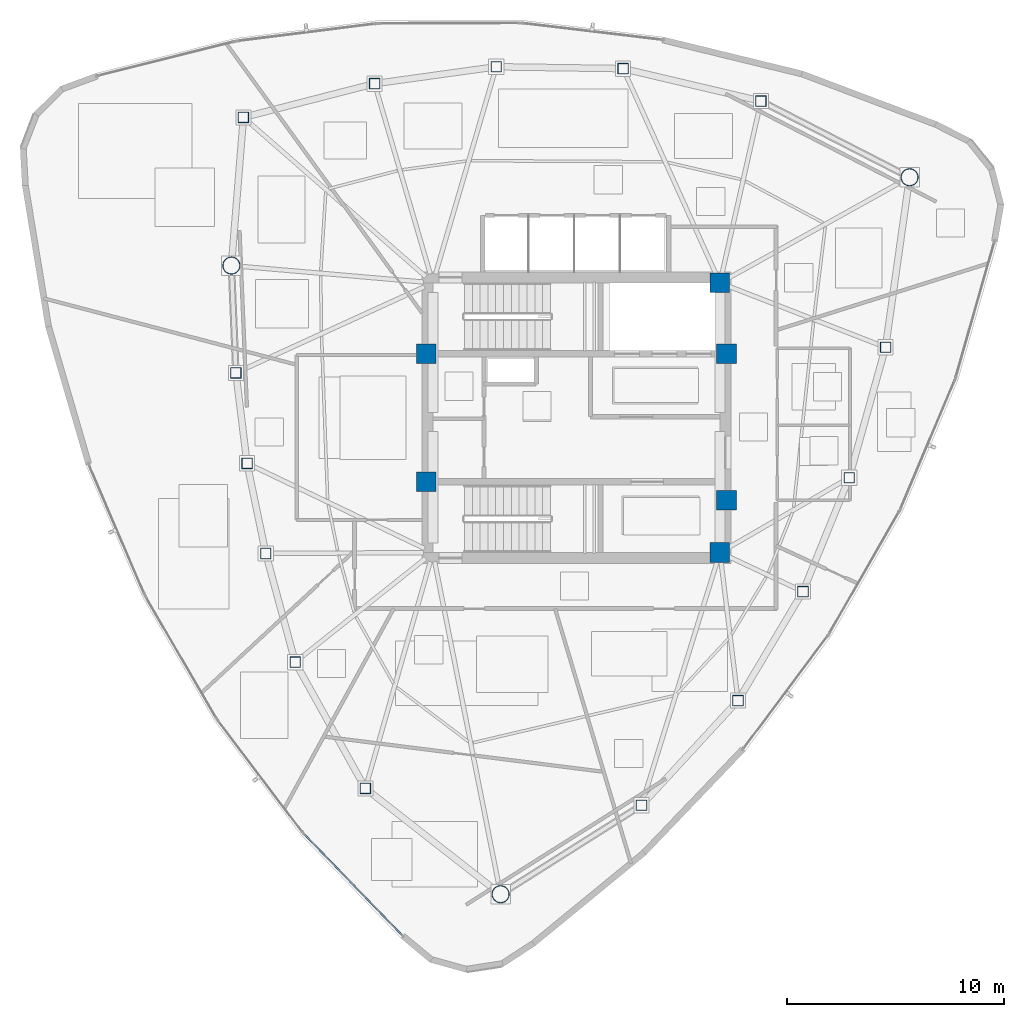
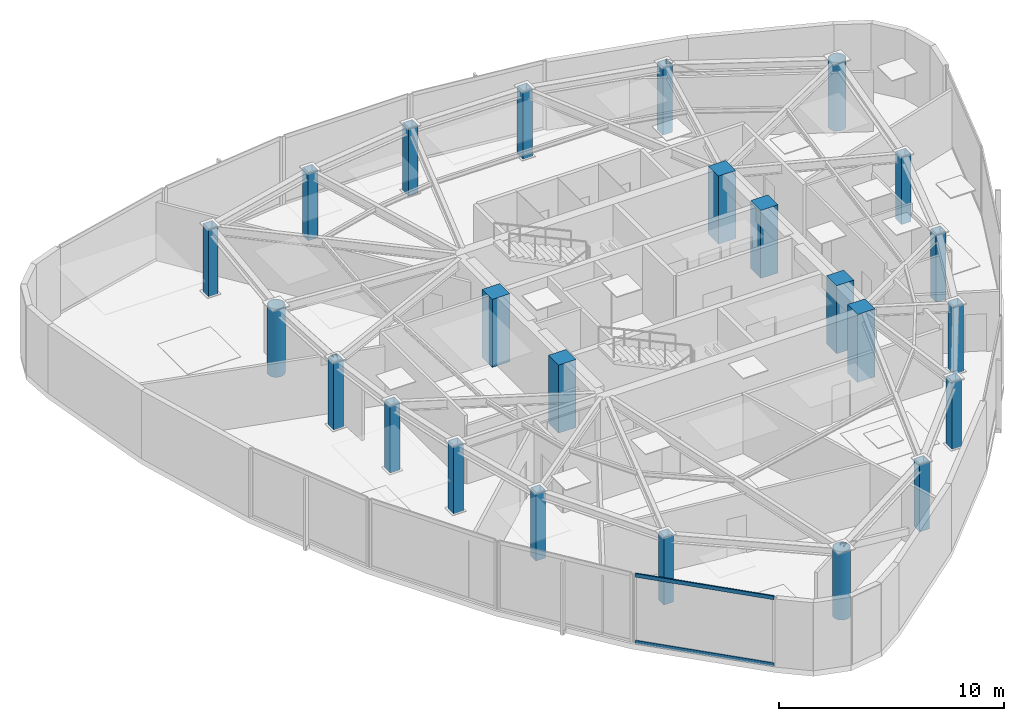
# One storey, part 1 of 12: 24 columns, 2 members, 1 element without a shape of its own.
"""IFC4 building model written with IfcOpenShell, lengths in metres."""

from ifc_helpers import new_model, si_unit, direction, frame, origin, origin_2d, place, context, subcontext, project, spatial, rectangle, hollow_rectangle, hollow_circle, extrude, source, transform, mapped, material, layer, layer_set, material_profile, profile_set, type_object, type_shapes, element, aggregate, save


model = new_model("IFC4")

# Units and contexts
model_context = context("Model", 3, precision=1e-05, world=origin(), true_north=direction((0.0, 1.0)))
body_context = subcontext(model_context, "Body", "Model", "MODEL_VIEW")
ifc_project = project(units=[si_unit("LENGTHUNIT", "METRE"), si_unit("AREAUNIT", "SQUARE_METRE"), si_unit("VOLUMEUNIT", "CUBIC_METRE"), si_unit("PLANEANGLEUNIT", "RADIAN"), si_unit("MASSUNIT", "GRAM", prefix="KILO")], contexts=[model_context])

# Site, building, storey
site_placement = place(None, origin())
site = spatial("IfcSite", under=ifc_project, at=site_placement, CompositionType="ELEMENT")
building_placement = place(site_placement, origin())
building = spatial("IfcBuilding", under=site, at=building_placement, Name="Tavelor Broadcast Tower", CompositionType="ELEMENT")
storey_placement = place(building_placement, frame((0.0, 0.0, 281.5)))
storey = spatial("IfcBuildingStorey", under=building, at=storey_placement, Name="L67", CompositionType="ELEMENT", Elevation=281.5)

# Columns
ifc_material_1 = material(Name="Concrete C50/60", Category="concrete")
ifc_material_profile_1 = material_profile(ifc_material_1, rectangle(XDim=0.89990234375, YDim=0.89990234375, at=origin_2d()), Name="RC 900x900")
ifc_profile_set_1 = profile_set([ifc_material_profile_1], Name="Concrete C50/60")
column_type_1 = type_object("IfcColumnType", Name="Core Embedded Composite Column RC900", PredefinedType="COLUMN", material=ifc_profile_set_1)
for number, where, z_axis, x_axis, name in (
    (1, (43.10009765625, 47.949951171875, 0.0), (0.0, 0.0, 1.0), (1.0, 0.0, 0.0), "L67 Core Embedded Column 1"),
    (2, (56.89990234375, 47.949951171875, 0.0), (0.0, 0.0, 1.0), (1.0, 0.0, 0.0), "L67 Core Embedded Column 2"),
    (3, (56.60009765625, 51.199951171875, 0.0), (0.0, 0.0, 1.0), (1.0, 0.0, 0.0), "L67 Core Embedded Column 3"),
    (4, (43.10009765625, 42.050048828125, 0.0), (0.0, 0.0, 1.0), (1.0, 0.0, 0.0), "L67 Core Embedded Column 4"),
    (5, (56.89990234375, 41.199951171875, 0.0), (0.0, 0.0, 1.0), (1.0, 0.0, 0.0), "L67 Core Embedded Column 5"),
    (6, (56.60009765625, 38.800048828125, 0.0), (0.0, 0.0, 1.0), (1.0, 0.0, 0.0), "L67 Core Embedded Column 6"),
):
    element("IfcColumn", number, at=place(storey_placement, frame(where, z_axis=z_axis, x_axis=x_axis)), inside=storey, type_object=column_type_1, Name=name, PredefinedType="COLUMN", context=body_context, shape_type="SweptSolid", body=[
        extrude(rectangle(XDim=0.89990234375, YDim=0.89990234375, at=origin_2d()), origin(), (0.0, 0.0, 1.0), 3.699951171875),
    ])
ifc_material_2 = material(Name="Steel S460", Category="steel")
ifc_material_profile_2 = material_profile(ifc_material_2, hollow_rectangle(XDim=0.5, YDim=0.5, WallThickness=0.030029296875, at=origin_2d()), Name="SHS 500x500x30")
ifc_profile_set_2 = profile_set([ifc_material_profile_2], Name="Steel S460")
column_type_2 = type_object("IfcColumnType", Name="Perimeter Tube Column T7 SHS 500x500x30", PredefinedType="COLUMN", material=ifc_profile_set_2)
for number, where, z_axis, x_axis, name in (
    (7, (34.341552734375, 47.061279296875, 0.0), (0.0, 0.0, 1.0), (1.0, 0.0, 0.0), "L67 Perimeter Framed-Tube Column 02"),
    (8, (34.85400390625, 42.90185546875, 0.0), (0.0, 0.0, 1.0), (1.0, 0.0, 0.0), "L67 Perimeter Framed-Tube Column 03"),
    (9, (35.716552734375, 38.757080078125, 0.0), (0.0, 0.0, 1.0), (1.0, 0.0, 0.0), "L67 Perimeter Framed-Tube Column 04"),
    (10, (37.068115234375, 33.759521484375, 0.0), (0.0, 0.0, 1.0), (1.0, 0.0, 0.0), "L67 Perimeter Framed-Tube Column 05"),
    (11, (40.29638671875, 27.95361328125, 0.0), (0.0, 0.0, 1.0), (1.0, 0.0, 0.0), "L67 Perimeter Framed-Tube Column 06"),
    (12, (52.992919921875, 27.1767578125, 0.0), (0.0, 0.0, 1.0), (1.0, 0.0, 0.0), "L67 Perimeter Framed-Tube Column 08"),
    (13, (57.431396484375, 31.9921875, 0.0), (0.0, 0.0, 1.0), (1.0, 0.0, 0.0), "L67 Perimeter Framed-Tube Column 09"),
    (14, (60.41748046875, 37.00439453125, 0.0), (0.0, 0.0, 1.0), (1.0, 0.0, 0.0), "L67 Perimeter Framed-Tube Column 10"),
    (15, (62.543701171875, 42.240478515625, 0.0), (0.0, 0.0, 1.0), (1.0, 0.0, 0.0), "L67 Perimeter Framed-Tube Column 11"),
    (16, (64.21435546875, 48.2373046875, 0.0), (0.0, 0.0, 1.0), (1.0, 0.0, 0.0), "L67 Perimeter Framed-Tube Column 12"),
    (17, (58.485595703125, 59.55712890625, 0.0), (0.0, 0.0, 1.0), (1.0, 0.0, 0.0), "L67 Perimeter Framed-Tube Column 14"),
    (18, (52.147216796875, 61.05078125, 0.0), (0.0, 0.0, 1.0), (1.0, 0.0, 0.0), "L67 Perimeter Framed-Tube Column 15"),
    (19, (46.3154296875, 61.13720703125, 0.0), (0.0, 0.0, 1.0), (1.0, 0.0, 0.0), "L67 Perimeter Framed-Tube Column 16"),
    (20, (40.718017578125, 60.36083984375, 0.0), (0.0, 0.0, 1.0), (1.0, 0.0, 0.0), "L67 Perimeter Framed-Tube Column 17"),
    (21, (34.689208984375, 58.80908203125, 0.0), (0.0, 0.0, 1.0), (1.0, 0.0, 0.0), "L67 Perimeter Framed-Tube Column 18"),
):
    element("IfcColumn", number, at=place(storey_placement, frame(where, z_axis=z_axis, x_axis=x_axis)), inside=storey, type_object=column_type_2, Name=name, PredefinedType="COLUMN", context=body_context, shape_type="SweptSolid", body=[
        extrude(hollow_rectangle(XDim=0.5, YDim=0.5, WallThickness=0.030029296875, at=origin_2d()), origin(), (0.0, 0.0, 1.0), 3.699951171875),
    ])
ifc_material_profile_3 = material_profile(ifc_material_2, hollow_circle(Radius=0.406494140625, WallThickness=0.035888671875, at=origin_2d()), Name="CHS 813x36")
ifc_profile_set_3 = profile_set([ifc_material_profile_3], Name="Steel S460")
column_type_3 = type_object("IfcColumnType", Name="Tower Mega Column T7 CHS 813x36", PredefinedType="COLUMN", material=ifc_profile_set_3)
for number, where, z_axis, x_axis, name in (
    (22, (34.134765625, 51.995849609375, 0.0), (0.0, 0.0, 1.0), (1.0, 0.0, 0.0), "L67 Tower Corner Mega Column 01"),
    (23, (46.5146484375, 23.08740234375, 0.0), (0.0, 0.0, 1.0), (1.0, 0.0, 0.0), "L67 Tower Corner Mega Column 07"),
    (24, (65.319580078125, 56.0556640625, 0.0), (0.0, 0.0, 1.0), (1.0, 0.0, 0.0), "L67 Tower Corner Mega Column 13"),
):
    element("IfcColumn", number, at=place(storey_placement, frame(where, z_axis=z_axis, x_axis=x_axis)), inside=storey, type_object=column_type_3, Name=name, PredefinedType="COLUMN", context=body_context, shape_type="SweptSolid", body=[
        extrude(hollow_circle(Radius=0.406494140625, WallThickness=0.035888671875, at=origin_2d()), origin(), (0.0, 0.0, 1.0), 3.699951171875),
    ])

# Curtain wall, members
ifc_material_3 = material(Name="Architectural Anodized Aluminium", Category="aluminium")
ifc_layer = layer(ifc_material_3, 0.199951171875)
ifc_layer_set = layer_set([ifc_layer], Name="Architectural Anodized Aluminium")
curtain_wall_type = type_object("IfcCurtainWallType", Name="Tower High-Zone Triple-Glazed Curtain Wall CW04", PredefinedType="NOTDEFINED", material=ifc_layer_set)
curtain_wall_placement = place(storey_placement, origin())
curtain_wall = element("IfcCurtainWall", 25, at=curtain_wall_placement, inside=storey, type_object=curtain_wall_type, Name="L67 Curtain Wall CW04 Run 736", PredefinedType="NOTDEFINED")
ifc_material_profile_4 = material_profile(ifc_material_3, hollow_rectangle(XDim=0.070068359375, YDim=0.199951171875, WallThickness=0.02197265625, at=origin_2d()), Name="RHS 70x200x22")
ifc_profile_set_4 = profile_set([ifc_material_profile_4], Name="Architectural Anodized Aluminium")
member_type = type_object("IfcMemberType", Name="CW04 Extruded Aluminium Transom 70x200", PredefinedType="USERDEFINED", material=ifc_profile_set_4)
shared_shape = source(origin(), body_context, "Body", "SweptSolid", [
    extrude(hollow_rectangle(XDim=0.070068359375, YDim=0.199951171875, WallThickness=0.02197265625, at=origin_2d()), origin(), (0.0, 0.0, 1.0), 6.427978515625),
])
type_shapes(member_type, [shared_shape])
member_1_placement = place(storey_placement, frame((37.50048828125, 25.833251953125, 0.034912109375), z_axis=(0.695620693497, -0.718409250204, 0.0), x_axis=(0.718409250204, 0.695620693497, 0.0)))
member_1 = element("IfcMember", 26, at=member_1_placement, type_object=member_type, Name="CW04 transom 1.1", ObjectType="TRANSOM", PredefinedType="USERDEFINED", context=body_context, shape_type="MappedRepresentation", body=[
    mapped(shared_shape, transform((0.0, 0.0, 0.0), scale=1.0)),
])
member_2_placement = place(storey_placement, frame((37.50048828125, 25.833251953125, 3.6650390625), z_axis=(0.695620693497, -0.718409250204, 0.0), x_axis=(0.718409250204, 0.695620693497, 0.0)))
member_2 = element("IfcMember", 27, at=member_2_placement, type_object=member_type, Name="CW04 transom 1.2", ObjectType="TRANSOM", PredefinedType="USERDEFINED", context=body_context, shape_type="MappedRepresentation", body=[
    mapped(shared_shape, transform((0.0, 0.0, 0.0), scale=1.0)),
])
aggregate(curtain_wall, [member_1, member_2])

save(model, "model.ifc")
